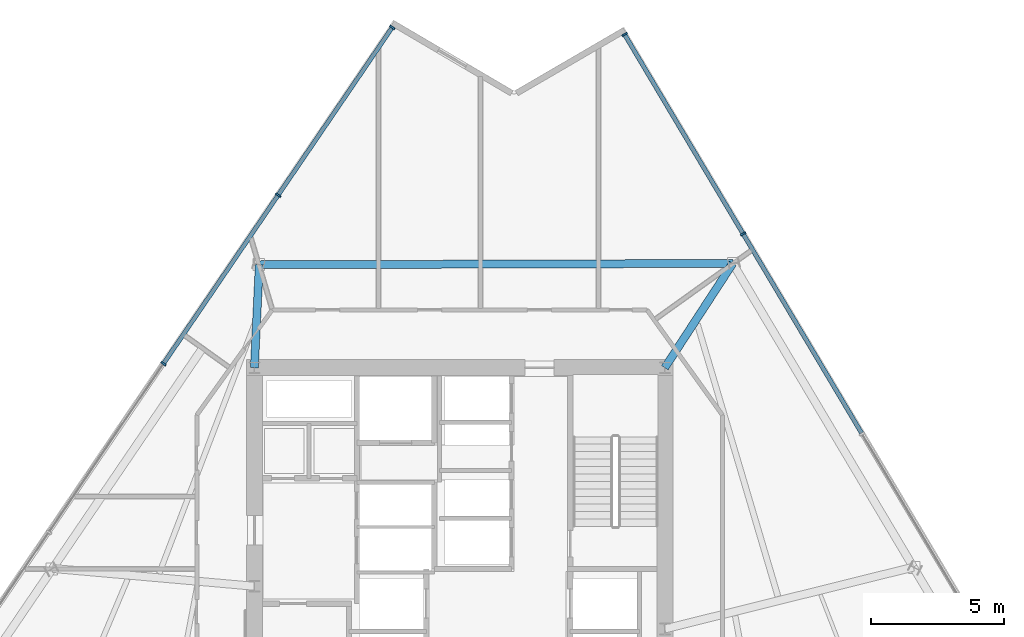
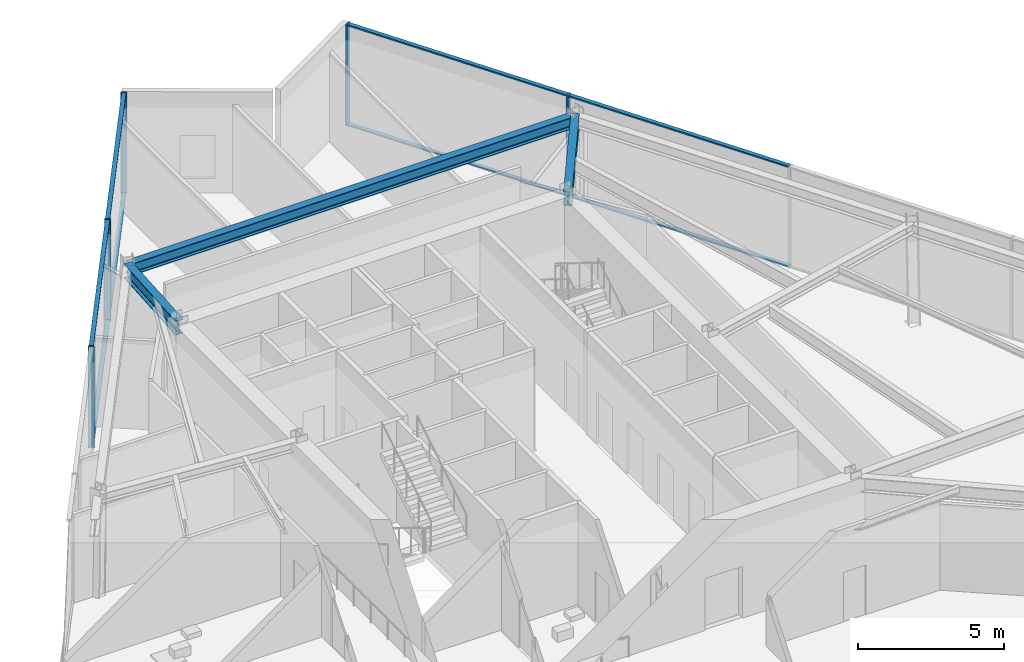
# One storey, part 5 of 14: 13 members, 3 beams, 2 elements without a shape of their own.
"""IFC4 building model written with IfcOpenShell, lengths in metres."""

from ifc_helpers import new_model, si_unit, direction, frame, origin, origin_2d, place, context, subcontext, project, spatial, rectangle, i_section, extrude, material, material_profile, profile_set, type_object, element, aggregate, save


model = new_model("IFC4")

# Units and contexts
model_context = context("Model", 3, precision=1e-05, world=origin(), true_north=direction((0.0, 1.0)))
body_context = subcontext(model_context, "Body", "Model", "MODEL_VIEW")
ifc_project = project(units=[si_unit("LENGTHUNIT", "METRE"), si_unit("AREAUNIT", "SQUARE_METRE"), si_unit("VOLUMEUNIT", "CUBIC_METRE"), si_unit("PLANEANGLEUNIT", "RADIAN"), si_unit("MASSUNIT", "GRAM", prefix="KILO")], contexts=[model_context])

# Site, building, storey
site_placement = place(None, origin())
site = spatial("IfcSite", under=ifc_project, at=site_placement, CompositionType="ELEMENT")
building_placement = place(site_placement, origin())
building = spatial("IfcBuilding", under=site, at=building_placement, Name="Savorim Split Tower", CompositionType="ELEMENT")
storey_placement = place(building_placement, frame((0.0, 0.0, 78.0)))
storey = spatial("IfcBuildingStorey", under=building, at=storey_placement, Name="L20", CompositionType="ELEMENT", Elevation=78.0)

# Beams
ifc_material_1 = material(Name="Steel S355", Category="steel")
ifc_material_profile_1 = material_profile(ifc_material_1, i_section(OverallWidth=0.300048828125, OverallDepth=0.60009765625, WebThickness=0.015380859375, FlangeThickness=0.030029296875, FilletRadius=0.027099609375, at=origin_2d()), Name="HEB 600")
ifc_profile_set_1 = profile_set([ifc_material_profile_1], Name="Steel S355")
beam_type_1 = type_object("IfcBeamType", Name="BM-PRI-HEB600", PredefinedType="BEAM", material=ifc_profile_set_1)
beam_1_placement = place(storey_placement, frame((10.251220703125, 14.113037109375, 3.949951171875), z_axis=(-0.546156178038, -0.837683370487, 0.0), x_axis=(0.837683370487, -0.546156178038, 0.0)))
element("IfcBeam", 1, at=beam_1_placement, inside=storey, type_object=beam_type_1, Name="L20 Primary Floor Girder RG-07", PredefinedType="BEAM", context=body_context, shape_type="SweptSolid", body=[
    extrude(i_section(OverallWidth=0.300048828125, OverallDepth=0.60009765625, WebThickness=0.015380859375, FlangeThickness=0.030029296875, FilletRadius=0.027099609375, at=origin_2d()), origin(), (0.0, 0.0, 1.0), 4.67138671875),
])
beam_2_placement = place(storey_placement, frame((-7.5166015625, 14.064208984375, 3.949951171875), z_axis=(-0.047394242632, -0.998876261489, 0.0), x_axis=(0.998876261489, -0.047394242632, 0.0)))
element("IfcBeam", 2, at=beam_2_placement, inside=storey, type_object=beam_type_1, Name="L20 Primary Floor Girder RG-08", PredefinedType="BEAM", context=body_context, shape_type="SweptSolid", body=[
    extrude(i_section(OverallWidth=0.300048828125, OverallDepth=0.60009765625, WebThickness=0.015380859375, FlangeThickness=0.030029296875, FilletRadius=0.027099609375, at=origin_2d()), origin(), (0.0, 0.0, 1.0), 3.86865234375),
])
ifc_material_profile_2 = material_profile(ifc_material_1, i_section(OverallWidth=0.300048828125, OverallDepth=0.489990234375, WebThickness=0.011962890625, FlangeThickness=0.02294921875, FilletRadius=0.027099609375, at=origin_2d()), Name="HEA 500")
ifc_profile_set_2 = profile_set([ifc_material_profile_2], Name="Steel S355")
beam_type_2 = type_object("IfcBeamType", Name="BM-SPN-HEA500", PredefinedType="SPANDREL", material=ifc_profile_set_2)
beam_3_placement = place(storey_placement, frame((10.251220703125, 14.113037109375, 4.0048828125), z_axis=(-0.999996223937, -0.002748110595, 0.0), x_axis=(0.002748110595, -0.999996223937, 0.0)))
element("IfcBeam", 3, at=beam_3_placement, inside=storey, type_object=beam_type_2, Name="L20 Perimeter Spandrel Beam 7", PredefinedType="SPANDREL", context=body_context, shape_type="SweptSolid", body=[
    extrude(i_section(OverallWidth=0.300048828125, OverallDepth=0.489990234375, WebThickness=0.011962890625, FlangeThickness=0.02294921875, FilletRadius=0.027099609375, at=origin_2d()), origin(), (0.0, 0.0, 1.0), 17.767822265625),
])

# Curtain wall, members
ifc_material_2 = material(Name="Dark Ceramic-Fritted Insulated Glass", Category="glass")
curtain_wall_type = type_object("IfcCurtainWallType", Name="CW-SKY-ATRIUM", PredefinedType="NOTDEFINED", material=ifc_material_2)
curtain_wall_1_placement = place(storey_placement, origin())
curtain_wall_1 = element("IfcCurtainWall", 4, at=curtain_wall_1_placement, inside=storey, type_object=curtain_wall_type, Name="L20 Curtain Wall CW-L20-EAST", PredefinedType="NOTDEFINED")
ifc_material_3 = material(Name="Charcoal Anodised Aluminium", Category="aluminium")
ifc_material_profile_3 = material_profile(ifc_material_3, rectangle(XDim=0.219970703125, YDim=0.070068359375, at=origin_2d()), Name="ALU-M 220x70")
ifc_profile_set_3 = profile_set([ifc_material_profile_3], Name="Charcoal Anodised Aluminium")
member_type_1 = type_object("IfcMemberType", Name="CWM-220x70", PredefinedType="MULLION", material=ifc_profile_set_3)
member_1_placement = place(storey_placement, frame((10.63720703125, 15.225341796875, 0.0), z_axis=(0.0, 0.0, 1.0), x_axis=(-0.85952523283, -0.511093312545, 0.0)))
member_1 = element("IfcMember", 5, at=member_1_placement, type_object=member_type_1, Name="CW-05 mullion 5", PredefinedType="MULLION", context=body_context, shape_type="SweptSolid", body=[
    extrude(rectangle(XDim=0.219970703125, YDim=0.070068359375, at=origin_2d()), origin(), (0.0, 0.0, 1.0), 4.25),
])
member_2_placement = place(storey_placement, frame((6.190185546875, 22.7041015625, 0.0), z_axis=(0.0, 0.0, 1.0), x_axis=(-0.85952523283, -0.511093312545, 0.0)))
member_2 = element("IfcMember", 6, at=member_2_placement, type_object=member_type_1, Name="CW-05 mullion 6", PredefinedType="MULLION", context=body_context, shape_type="SweptSolid", body=[
    extrude(rectangle(XDim=0.219970703125, YDim=0.070068359375, at=origin_2d()), origin(), (0.0, 0.0, 1.0), 4.25),
])

curtain_wall_2_placement = place(storey_placement, origin())
curtain_wall_2 = element("IfcCurtainWall", 7, at=curtain_wall_2_placement, inside=storey, type_object=curtain_wall_type, Name="L20 Curtain Wall CW-L20-WEST", PredefinedType="NOTDEFINED")
member_3_placement = place(storey_placement, frame((-2.527587890625, 22.9697265625, 0.0), z_axis=(0.0, 0.0, 1.0), x_axis=(0.826819906685, -0.562466747381, 0.0)))
member_3 = element("IfcMember", 8, at=member_3_placement, type_object=member_type_1, Name="CW-05 mullion 1", PredefinedType="MULLION", context=body_context, shape_type="SweptSolid", body=[
    extrude(rectangle(XDim=0.219970703125, YDim=0.070068359375, at=origin_2d()), origin(), (0.0, 0.0, 1.0), 4.25),
])
member_4_placement = place(storey_placement, frame((-6.808837890625, 16.676513671875, 0.0), z_axis=(0.0, 0.0, 1.0), x_axis=(0.826819906685, -0.562466747381, 0.0)))
member_4 = element("IfcMember", 9, at=member_4_placement, type_object=member_type_1, Name="CW-05 mullion 2", PredefinedType="MULLION", context=body_context, shape_type="SweptSolid", body=[
    extrude(rectangle(XDim=0.219970703125, YDim=0.070068359375, at=origin_2d()), origin(), (0.0, 0.0, 1.0), 4.25),
])
member_5_placement = place(storey_placement, frame((-11.109619140625, 10.35400390625, 0.0), z_axis=(0.0, 0.0, 1.0), x_axis=(0.826819906685, -0.562466747381, 0.0)))
member_5 = element("IfcMember", 10, at=member_5_placement, type_object=member_type_1, Name="CW-05 mullion 3", PredefinedType="MULLION", context=body_context, shape_type="SweptSolid", body=[
    extrude(rectangle(XDim=0.219970703125, YDim=0.070068359375, at=origin_2d()), origin(), (0.0, 0.0, 1.0), 4.25),
])

# Member
ifc_material_profile_4 = material_profile(ifc_material_3, rectangle(XDim=0.159912109375, YDim=0.06005859375, at=origin_2d()), Name="ALU-T 160x60")
ifc_profile_set_4 = profile_set([ifc_material_profile_4], Name="Charcoal Anodised Aluminium")
member_type_2 = type_object("IfcMemberType", Name="CWT-160x60", PredefinedType="USERDEFINED", material=ifc_profile_set_4)
member_6_placement = place(storey_placement, frame((15.084228515625, 7.746826171875, 0.030029296875), z_axis=(-0.511086081239, 0.859529532689, 0.0), x_axis=(-0.859529532689, -0.511086081239, 0.0)))
member_6 = element("IfcMember", 11, at=member_6_placement, type_object=member_type_2, Name="CW-05 transom 4.1", ObjectType="TRANSOM", PredefinedType="USERDEFINED", context=body_context, shape_type="SweptSolid", body=[
    extrude(rectangle(XDim=0.159912109375, YDim=0.06005859375, at=origin_2d()), origin(), (0.0, 0.0, 1.0), 8.665771484375),
])

member_7_placement = place(storey_placement, frame((15.084228515625, 7.746826171875, 4.219970703125), z_axis=(-0.511086081239, 0.859529532689, 0.0), x_axis=(-0.859529532689, -0.511086081239, 0.0)))
member_7 = element("IfcMember", 12, at=member_7_placement, type_object=member_type_2, Name="CW-05 transom 4.2", ObjectType="TRANSOM", PredefinedType="USERDEFINED", context=body_context, shape_type="SweptSolid", body=[
    extrude(rectangle(XDim=0.159912109375, YDim=0.06005859375, at=origin_2d()), origin(), (0.0, 0.0, 1.0), 8.665771484375),
])

member_8_placement = place(storey_placement, frame((10.619384765625, 15.255615234375, 0.030029296875), z_axis=(-0.511088948576, 0.859527827731, 0.0), x_axis=(-0.859527827731, -0.511088948576, 0.0)))
member_8 = element("IfcMember", 13, at=member_8_placement, type_object=member_type_2, Name="CW-05 transom 5.1", ObjectType="TRANSOM", PredefinedType="USERDEFINED", context=body_context, shape_type="SweptSolid", body=[
    extrude(rectangle(XDim=0.159912109375, YDim=0.06005859375, at=origin_2d()), origin(), (0.0, 0.0, 1.0), 8.630859375),
])

member_9_placement = place(storey_placement, frame((10.619384765625, 15.255615234375, 4.219970703125), z_axis=(-0.511088948576, 0.859527827731, 0.0), x_axis=(-0.859527827731, -0.511088948576, 0.0)))
member_9 = element("IfcMember", 14, at=member_9_placement, type_object=member_type_2, Name="CW-05 transom 5.2", ObjectType="TRANSOM", PredefinedType="USERDEFINED", context=body_context, shape_type="SweptSolid", body=[
    extrude(rectangle(XDim=0.159912109375, YDim=0.06005859375, at=origin_2d()), origin(), (0.0, 0.0, 1.0), 8.630859375),
])

aggregate(curtain_wall_1, [member_1, member_2, member_6, member_7, member_8, member_9])

member_10_placement = place(storey_placement, frame((-2.547119140625, 22.94091796875, 0.030029296875), z_axis=(-0.562467622195, -0.826819311568, 0.0), x_axis=(0.826819311568, -0.562467622195, 0.0)))
member_10 = element("IfcMember", 15, at=member_10_placement, type_object=member_type_2, Name="CW-05 transom 1.1", ObjectType="TRANSOM", PredefinedType="USERDEFINED", context=body_context, shape_type="SweptSolid", body=[
    extrude(rectangle(XDim=0.159912109375, YDim=0.06005859375, at=origin_2d()), origin(), (0.0, 0.0, 1.0), 7.541748046875),
])

member_11_placement = place(storey_placement, frame((-2.547119140625, 22.94091796875, 4.219970703125), z_axis=(-0.562467622195, -0.826819311568, 0.0), x_axis=(0.826819311568, -0.562467622195, 0.0)))
member_11 = element("IfcMember", 16, at=member_11_placement, type_object=member_type_2, Name="CW-05 transom 1.2", ObjectType="TRANSOM", PredefinedType="USERDEFINED", context=body_context, shape_type="SweptSolid", body=[
    extrude(rectangle(XDim=0.159912109375, YDim=0.06005859375, at=origin_2d()), origin(), (0.0, 0.0, 1.0), 7.541748046875),
])

member_12_placement = place(storey_placement, frame((-6.828369140625, 16.6474609375, 0.030029296875), z_axis=(-0.562461610594, -0.826823401101, 0.0), x_axis=(0.826823401101, -0.562461610594, 0.0)))
member_12 = element("IfcMember", 17, at=member_12_placement, type_object=member_type_2, Name="CW-05 transom 2.1", ObjectType="TRANSOM", PredefinedType="USERDEFINED", context=body_context, shape_type="SweptSolid", body=[
    extrude(rectangle(XDim=0.159912109375, YDim=0.06005859375, at=origin_2d()), origin(), (0.0, 0.0, 1.0), 7.576416015625),
])

member_13_placement = place(storey_placement, frame((-6.828369140625, 16.6474609375, 4.219970703125), z_axis=(-0.562461610594, -0.826823401101, 0.0), x_axis=(0.826823401101, -0.562461610594, 0.0)))
member_13 = element("IfcMember", 18, at=member_13_placement, type_object=member_type_2, Name="CW-05 transom 2.2", ObjectType="TRANSOM", PredefinedType="USERDEFINED", context=body_context, shape_type="SweptSolid", body=[
    extrude(rectangle(XDim=0.159912109375, YDim=0.06005859375, at=origin_2d()), origin(), (0.0, 0.0, 1.0), 7.576416015625),
])

aggregate(curtain_wall_2, [member_3, member_4, member_5, member_10, member_11, member_12, member_13])

save(model, "model.ifc")
